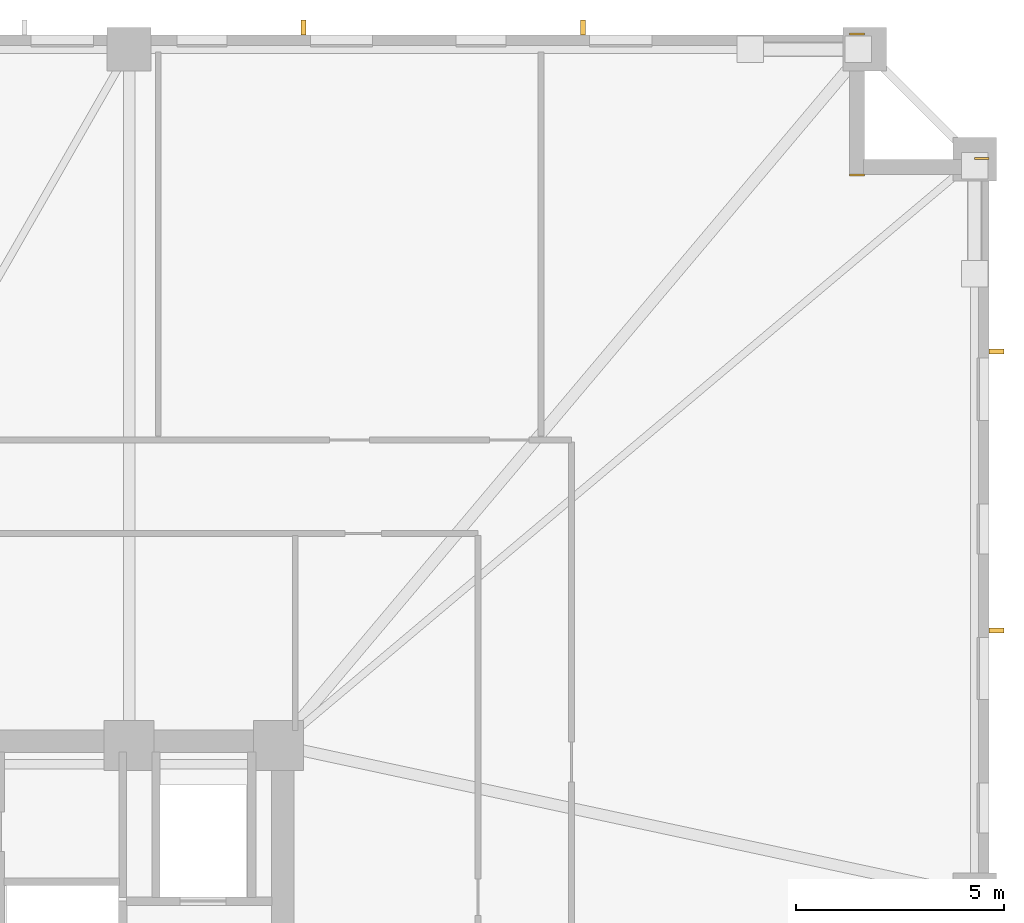
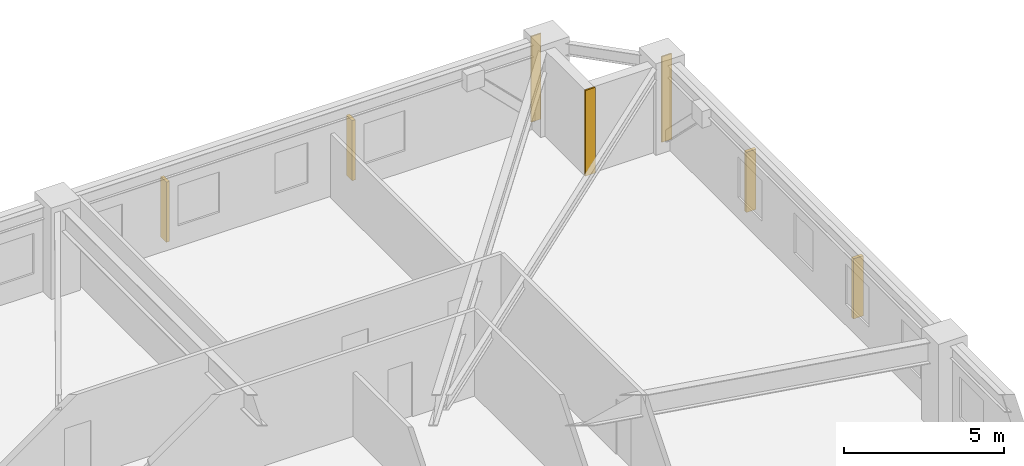
# One storey, part 11 of 11: 4 shading devices, 3 coverings.
"""IFC4 building model written with IfcOpenShell, lengths in metres."""

from ifc_helpers import new_model, si_unit, direction, frame, frame_2d, origin, origin_2d, place, context, subcontext, project, spatial, rectangle, extrude, material, layer, layer_set, type_object, element, save


model = new_model("IFC4")

# Units and contexts
model_context = context("Model", 3, precision=1e-05, world=origin(), true_north=direction((0.0, 1.0)))
body_context = subcontext(model_context, "Body", "Model", "MODEL_VIEW")
ifc_project = project(units=[si_unit("LENGTHUNIT", "METRE"), si_unit("AREAUNIT", "SQUARE_METRE"), si_unit("VOLUMEUNIT", "CUBIC_METRE"), si_unit("PLANEANGLEUNIT", "RADIAN"), si_unit("MASSUNIT", "GRAM", prefix="KILO")], contexts=[model_context])

# Site, building, storey
site_placement = place(None, origin())
site = spatial("IfcSite", under=ifc_project, at=site_placement, CompositionType="ELEMENT")
building_placement = place(site_placement, origin())
building = spatial("IfcBuilding", under=site, at=building_placement, Name="Cairnveth Concourse Tower", CompositionType="ELEMENT")
storey_placement = place(building_placement, frame((0.0, 0.0, 51.5)))
storey = spatial("IfcBuildingStorey", under=building, at=storey_placement, Name="L13", CompositionType="ELEMENT", Elevation=51.5)

# Coverings
ifc_material_1 = material(Name="Dressed Melbourne Bluestone Cladding", Category="masonry")
ifc_layer = layer(ifc_material_1, 0.050048828125)
ifc_layer_set = layer_set([ifc_layer], Name="Dressed Melbourne Bluestone Cladding")
covering_type = type_object("IfcCoveringType", Name="DRESSED BLUESTONE PLINTH CLADDING 50", PredefinedType="CLADDING", material=ifc_layer_set)
for number, where, z_axis, x_axis, name in (
    (1, (74.139892578125, 64.52001953125, 0.0), (0.0, 0.0, 1.0), (1.0, 0.0, 0.0), "Melbourne Bluestone Corner Quoin L13-158"),
    (2, (74.139892578125, 61.1201171875, 0.0), (0.0, 0.0, 1.0), (1.0, 0.0, 0.0), "Melbourne Bluestone Corner Quoin L13-159"),
    (3, (77.139892578125, 61.52001953125, 0.0), (0.0, 0.0, 1.0), (1.0, 0.0, 0.0), "Melbourne Bluestone Corner Quoin L13-160"),
):
    element("IfcCovering", number, at=place(storey_placement, frame(where, z_axis=z_axis, x_axis=x_axis)), inside=storey, type_object=covering_type, Name=name, PredefinedType="CLADDING", context=body_context, shape_type="SweptSolid", body=[
        extrude(rectangle(XDim=0.360107421875, YDim=0.050048828125, at=frame_2d((0.18017578125, 0.0))), origin(), (0.0, 0.0, 1.0), 3.280029296875),
    ])

# Shading devices
ifc_material_2 = material(Name="Architectural Bronze Anodised Aluminium 6063-T6", Category="aluminium")
shading_device_type = type_object("IfcShadingDeviceType", Name="GOTHIC BRONZE VERTICAL LANCET FIN", PredefinedType="USERDEFINED", material=ifc_material_2)
for number, where, z_axis, x_axis, name in (
    (4, (61.00146484375, 64.675048828125, 0.02978515625), (0.0, 0.0, 1.0), (1.0, 0.0, 0.0), "Gothic Bronze Vertical Fin L13-6-9"),
    (5, (67.721923828125, 64.675048828125, 0.02978515625), (0.0, 0.0, 1.0), (1.0, 0.0, 0.0), "Gothic Bronze Vertical Fin L13-6-11"),
    (6, (77.675048828125, 56.8798828125, 0.02978515625), (0.0, 0.0, 1.0), (0.0, 1.0, 0.0), "Gothic Bronze Vertical Fin L13-9-1"),
    (7, (77.675048828125, 50.159423828125, 0.02978515625), (0.0, 0.0, 1.0), (0.0, 1.0, 0.0), "Gothic Bronze Vertical Fin L13-9-3"),
):
    element("IfcShadingDevice", number, at=place(storey_placement, frame(where, z_axis=z_axis, x_axis=x_axis)), inside=storey, type_object=shading_device_type, Name=name, ObjectType="VERTICAL FIN", PredefinedType="USERDEFINED", context=body_context, shape_type="SweptSolid", body=[
        extrude(rectangle(XDim=0.1201171875, YDim=0.360107421875, at=origin_2d()), origin(), (0.0, 0.0, 1.0), 2.303955078125),
    ])

save(model, "model.ifc")
